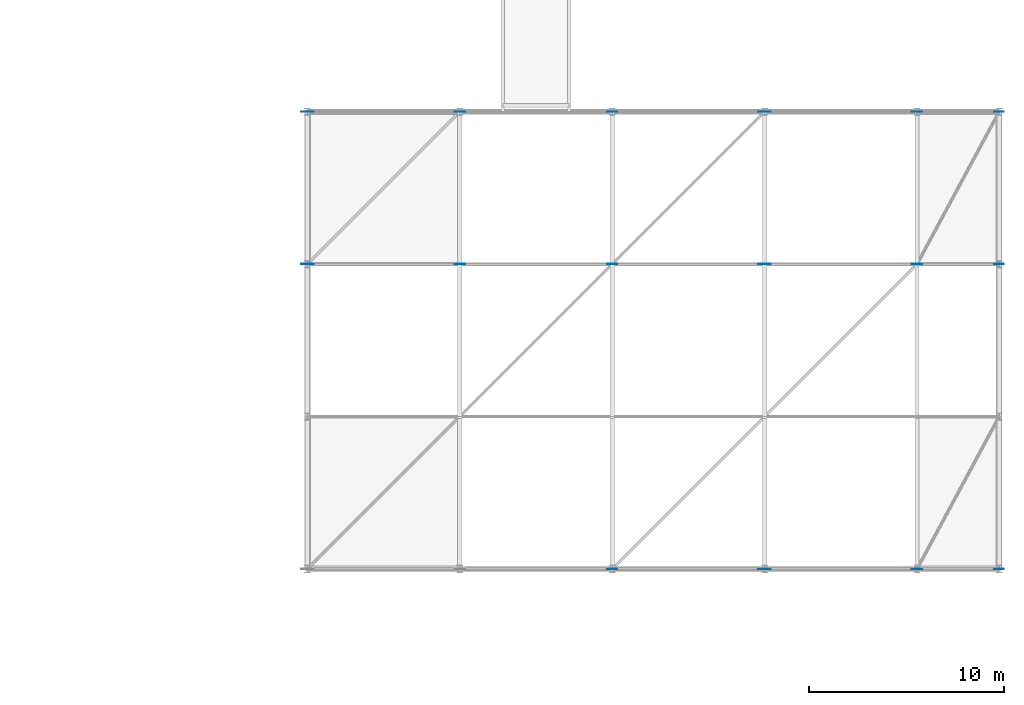
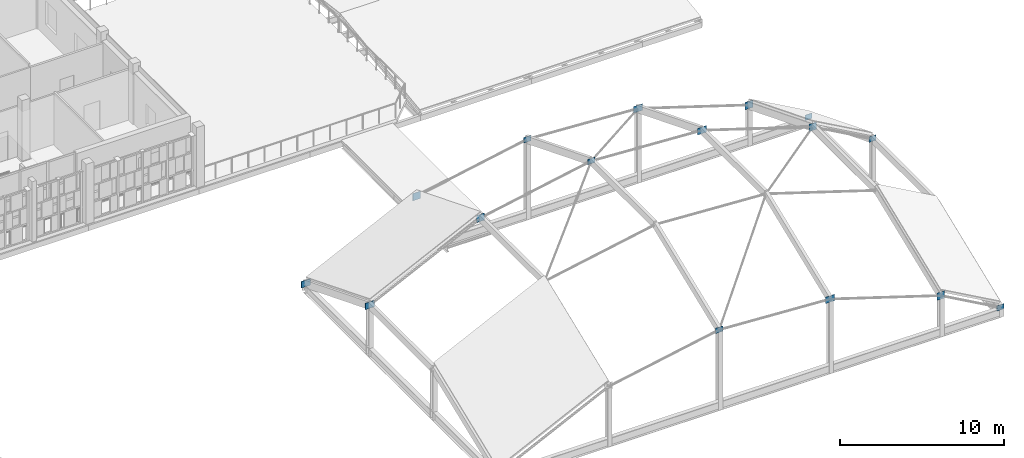
# One storey, part 85 of 119: 16 plates.
"""IFC4 building model written with IfcOpenShell, lengths in metres."""

from ifc_helpers import new_model, si_unit, direction, frame, origin, origin_2d, place, context, subcontext, project, spatial, rectangle, extrude, material, layer, layer_set, type_object, element, save


model = new_model("IFC4")

# Units and contexts
model_context = context("Model", 3, precision=1e-05, world=origin(), true_north=direction((0.0, 1.0)))
body_context = subcontext(model_context, "Body", "Model", "MODEL_VIEW")
ifc_project = project(units=[si_unit("LENGTHUNIT", "METRE"), si_unit("AREAUNIT", "SQUARE_METRE"), si_unit("VOLUMEUNIT", "CUBIC_METRE"), si_unit("PLANEANGLEUNIT", "RADIAN"), si_unit("MASSUNIT", "GRAM", prefix="KILO")], contexts=[model_context])

# Site, building, storey
site_placement = place(None, origin())
site = spatial("IfcSite", under=ifc_project, at=site_placement, CompositionType="ELEMENT")
building_placement = place(site_placement, origin())
building = spatial("IfcBuilding", under=site, at=building_placement, Name="Celorna Specialist Clinic", CompositionType="ELEMENT")
storey_placement = place(building_placement, frame((0.0, 0.0, 9.60009765625)))
storey = spatial("IfcBuildingStorey", under=building, at=storey_placement, Name="L02", CompositionType="ELEMENT", Elevation=9.60009765625)

# Plates
ifc_material = material(Name="Steel S355", Category="steel")
ifc_layer_1 = layer(ifc_material, 0.02197265625, Name="Steel S355")
ifc_layer_set_1 = layer_set([ifc_layer_1], Name="Steel S355")
plate_type_1 = type_object("IfcPlateType", Name="GP-03", PredefinedType="USERDEFINED", material=ifc_layer_set_1)
for number, where, z_axis, x_axis, name in (
    (1, (132.60009765625, 75.60009765625, 3.465576171875), (0.0, 0.0, 1.0), (1.0, 0.0, 0.0), "GSH-V3 gridshell steel node shoe GN-01"),
    (2, (132.60009765625, 83.39990234375, 0.35986328125), (0.0, 0.0, 1.0), (1.0, 0.0, 0.0), "GSH-V3 gridshell steel node shoe GN-01"),
    (3, (156.0, 60.0, 5.18603515625), (0.0, 0.0, 1.0), (1.0, 0.0, 0.0), "GSH-V3 gridshell steel node shoe GN-04"),
    (4, (156.0, 75.60009765625, 8.291748046875), (0.0, 0.0, 1.0), (1.0, 0.0, 0.0), "GSH-V3 gridshell steel node shoe GN-04"),
    (5, (156.0, 83.39990234375, 5.18603515625), (0.0, 0.0, 1.0), (1.0, 0.0, 0.0), "GSH-V3 gridshell steel node shoe GN-04"),
):
    element("IfcPlate", number, at=place(storey_placement, frame(where, z_axis=z_axis, x_axis=x_axis)), inside=storey, type_object=plate_type_1, Name=name, ObjectType="GUSSET PLATE", PredefinedType="USERDEFINED", context=body_context, shape_type="SweptSolid", body=[
        extrude(rectangle(XDim=0.639892578125, YDim=0.02197265625, at=origin_2d()), origin(), (0.0, 0.0, 1.0), 0.47998046875),
    ])
ifc_layer_2 = layer(ifc_material, 0.02001953125, Name="Steel S355")
ifc_layer_set_2 = layer_set([ifc_layer_2], Name="Steel S355")
plate_type_2 = type_object("IfcPlateType", Name="GP-04", PredefinedType="USERDEFINED", material=ifc_layer_set_2)
for number, where, z_axis, x_axis, name in (
    (6, (140.39990234375, 75.60009765625, 7.2041015625), (0.0, 0.0, 1.0), (1.0, 0.0, 0.0), "GSH-V3 gridshell steel node shoe GN-02"),
    (7, (140.39990234375, 83.39990234375, 4.098388671875), (0.0, 0.0, 1.0), (1.0, 0.0, 0.0), "GSH-V3 gridshell steel node shoe GN-02"),
    (8, (163.800048828125, 60.0, 2.68212890625), (0.0, 0.0, 1.0), (1.0, 0.0, 0.0), "GSH-V3 gridshell steel node shoe GN-05"),
    (9, (163.800048828125, 75.60009765625, 5.787841796875), (0.0, 0.0, 1.0), (1.0, 0.0, 0.0), "GSH-V3 gridshell steel node shoe GN-05"),
    (10, (163.800048828125, 83.39990234375, 2.68212890625), (0.0, 0.0, 1.0), (1.0, 0.0, 0.0), "GSH-V3 gridshell steel node shoe GN-05"),
):
    element("IfcPlate", number, at=place(storey_placement, frame(where, z_axis=z_axis, x_axis=x_axis)), inside=storey, type_object=plate_type_2, Name=name, ObjectType="GUSSET PLATE", PredefinedType="USERDEFINED", context=body_context, shape_type="SweptSolid", body=[
        extrude(rectangle(XDim=0.5400390625, YDim=0.02001953125, at=origin_2d()), origin(), (0.0, 0.0, 1.0), 0.5400390625),
    ])
ifc_layer_3 = layer(ifc_material, 0.02001953125, Name="Steel S355")
ifc_layer_set_3 = layer_set([ifc_layer_3], Name="Steel S355")
plate_type_3 = type_object("IfcPlateType", Name="GP-08", PredefinedType="USERDEFINED", material=ifc_layer_set_3)
for number, where, z_axis, x_axis, name in (
    (11, (148.199951171875, 60.0, 5.668701171875), (0.0, 0.0, 1.0), (1.0, 0.0, 0.0), "GSH-V3 gridshell steel node shoe GN-03"),
    (12, (148.199951171875, 75.60009765625, 8.7744140625), (0.0, 0.0, 1.0), (1.0, 0.0, 0.0), "GSH-V3 gridshell steel node shoe GN-03"),
    (13, (148.199951171875, 83.39990234375, 5.668701171875), (0.0, 0.0, 1.0), (1.0, 0.0, 0.0), "GSH-V3 gridshell steel node shoe GN-03"),
    (14, (168.0, 60.0, 0.39990234375), (0.0, 0.0, 1.0), (1.0, 0.0, 0.0), "GSH-V3 gridshell steel node shoe GN-06"),
    (15, (168.0, 75.60009765625, 3.505615234375), (0.0, 0.0, 1.0), (1.0, 0.0, 0.0), "GSH-V3 gridshell steel node shoe GN-06"),
    (16, (168.0, 83.39990234375, 0.39990234375), (0.0, 0.0, 1.0), (1.0, 0.0, 0.0), "GSH-V3 gridshell steel node shoe GN-06"),
):
    element("IfcPlate", number, at=place(storey_placement, frame(where, z_axis=z_axis, x_axis=x_axis)), inside=storey, type_object=plate_type_3, Name=name, ObjectType="GUSSET PLATE", PredefinedType="USERDEFINED", context=body_context, shape_type="SweptSolid", body=[
        extrude(rectangle(XDim=0.5, YDim=0.02001953125, at=origin_2d()), origin(), (0.0, 0.0, 1.0), 0.39990234375),
    ])

save(model, "model.ifc")
